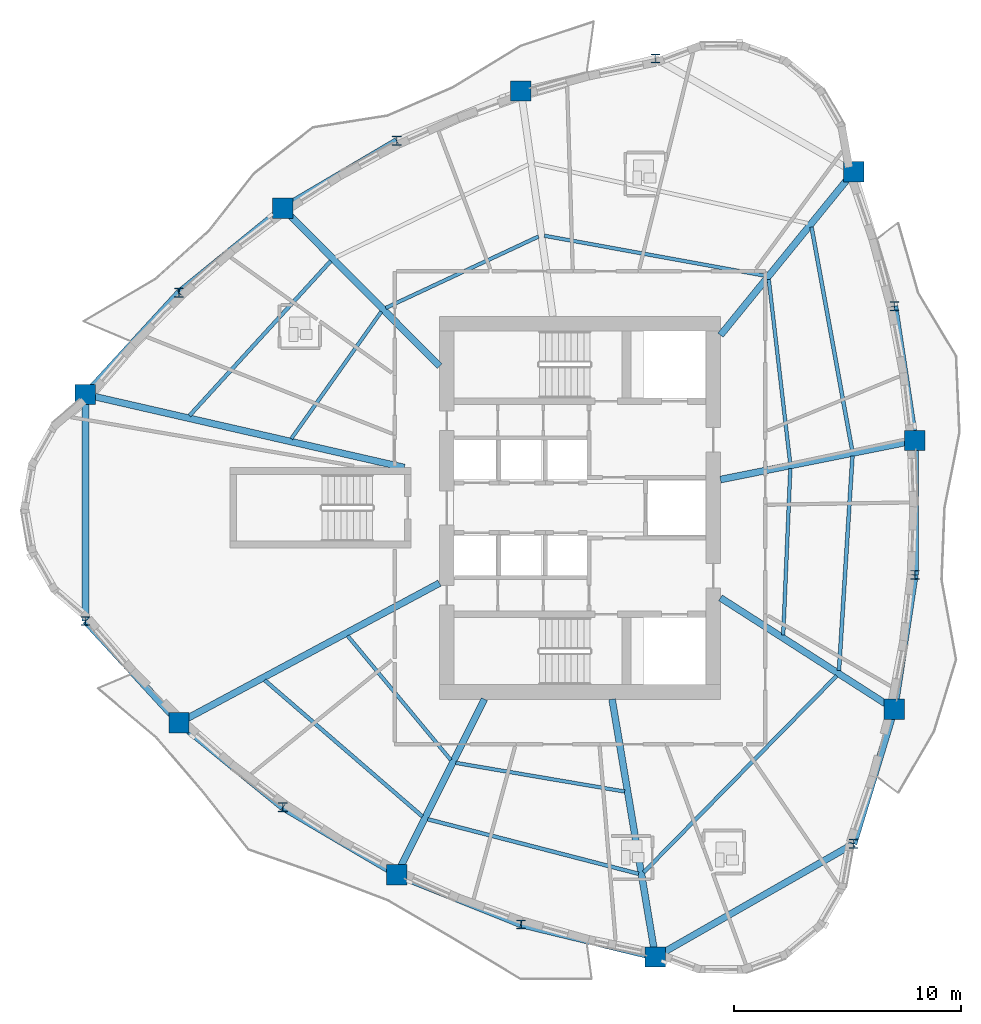
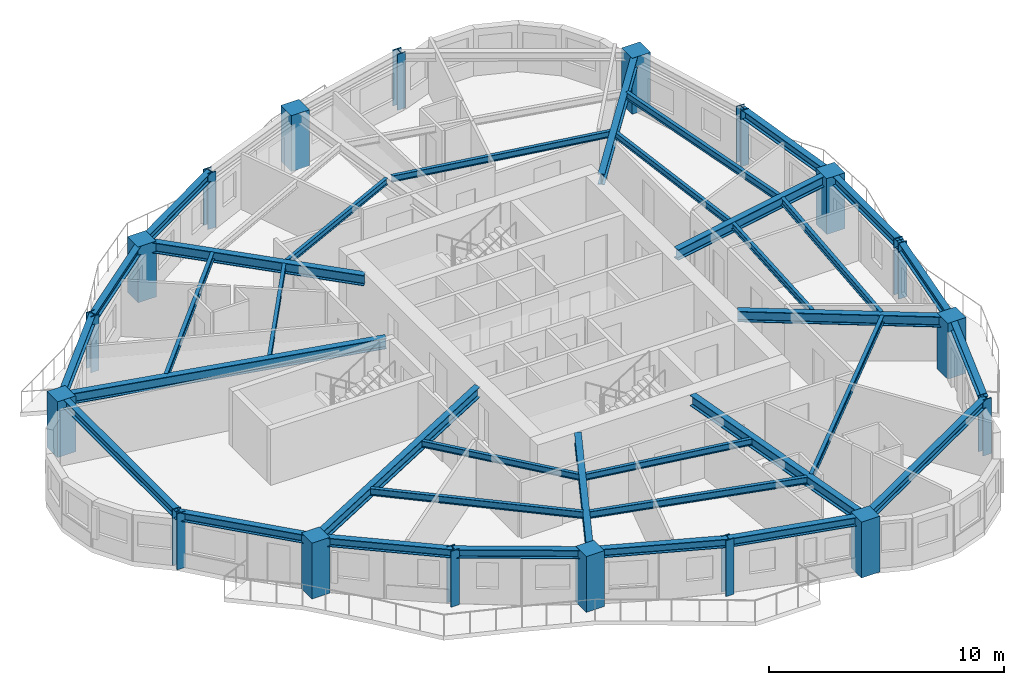
# One storey, part 1 of 12: 35 beams, 18 columns.
"""IFC4 building model written with IfcOpenShell, lengths in metres."""

from ifc_helpers import new_model, si_unit, direction, frame, origin, origin_2d, place, context, subcontext, project, spatial, rectangle, i_section, extrude, source, transform, mapped, material, material_profile, profile_set, type_object, element, save


model = new_model("IFC4")

# Units and contexts
model_context = context("Model", 3, precision=1e-05, world=origin(), true_north=direction((0.0, 1.0)))
body_context = subcontext(model_context, "Body", "Model", "MODEL_VIEW")
ifc_project = project(units=[si_unit("LENGTHUNIT", "METRE"), si_unit("AREAUNIT", "SQUARE_METRE"), si_unit("VOLUMEUNIT", "CUBIC_METRE"), si_unit("PLANEANGLEUNIT", "RADIAN"), si_unit("MASSUNIT", "GRAM", prefix="KILO")], contexts=[model_context])

# Site, building, storey
site_placement = place(None, origin())
site = spatial("IfcSite", under=ifc_project, at=site_placement, CompositionType="ELEMENT")
building_placement = place(site_placement, origin())
building = spatial("IfcBuilding", under=site, at=building_placement, Name="Qafzar Sky-Pleat Residences", CompositionType="ELEMENT")
storey_placement = place(building_placement, frame((0.0, 0.0, 124.800048828125)))
storey = spatial("IfcBuildingStorey", under=building, at=storey_placement, Name="L37", CompositionType="ELEMENT", Elevation=124.800048828125)

# Columns
ifc_material_1 = material(Name="Concrete C60/75", Category="concrete")
ifc_material_profile_1 = material_profile(ifc_material_1, rectangle(XDim=0.89990234375, YDim=0.89990234375, at=origin_2d()), Name="RC 900x900")
ifc_profile_set_1 = profile_set([ifc_material_profile_1], Name="Concrete C60/75")
column_type_1 = type_object("IfcColumnType", Name="COL-RC-900", PredefinedType="COLUMN", material=ifc_profile_set_1)
shared_shape_1 = source(origin(), body_context, "Body", "SweptSolid", [
    extrude(rectangle(XDim=0.89990234375, YDim=0.89990234375, at=origin_2d()), origin(), (0.0, 0.0, 1.0), 2.89990234375),
])
for number, where, z_axis, x_axis, name in (
    (1, (8.52880859375, 30.99609375, 0.0), (0.0, 0.0, 1.0), (1.0, 0.0, 0.0), "L37 Perimeter Mega Column 1"),
    (2, (12.65673828125, 16.50927734375, 0.0), (0.0, 0.0, 1.0), (1.0, 0.0, 0.0), "L37 Perimeter Mega Column 3"),
    (3, (22.26513671875, 9.813720703125, 0.0), (0.0, 0.0, 1.0), (1.0, 0.0, 0.0), "L37 Perimeter Mega Column 5"),
    (4, (33.6767578125, 6.17626953125, 0.0), (0.0, 0.0, 1.0), (1.0, 0.0, 0.0), "L37 Perimeter Mega Column 7"),
    (5, (44.2255859375, 17.103515625, 0.0), (0.0, 0.0, 1.0), (1.0, 0.0, 0.0), "L37 Perimeter Mega Column 9"),
    (6, (45.127197265625, 28.965576171875, 0.0), (0.0, 0.0, 1.0), (1.0, 0.0, 0.0), "L37 Perimeter Mega Column 11"),
    (7, (42.422607421875, 40.82763671875, 0.0), (0.0, 0.0, 1.0), (1.0, 0.0, 0.0), "L37 Perimeter Mega Column 13"),
    (8, (27.74560546875, 44.38720703125, 0.0), (0.0, 0.0, 1.0), (1.0, 0.0, 0.0), "L37 Perimeter Mega Column 15"),
    (9, (17.235595703125, 39.220703125, 0.0), (0.0, 0.0, 1.0), (1.0, 0.0, 0.0), "L37 Perimeter Mega Column 17"),
):
    element("IfcColumn", number, at=place(storey_placement, frame(where, z_axis=z_axis, x_axis=x_axis)), inside=storey, type_object=column_type_1, Name=name, PredefinedType="COLUMN", context=body_context, shape_type="MappedRepresentation", body=[
        mapped(shared_shape_1, transform((0.0, 0.0, 0.0), x_axis=(1.0, 0.0, 0.0), y_axis=(0.0, 1.0, 0.0), z_axis=(0.0, 0.0, 1.0), scale=1.0)),
    ])
ifc_material_2 = material(Name="Steel S460", Category="steel")
ifc_material_profile_2 = material_profile(ifc_material_2, i_section(OverallWidth=0.406005859375, OverallDepth=0.416015625, WebThickness=0.027099609375, FlangeThickness=0.0439453125, FilletRadius=0.014892578125, at=origin_2d()), Name="HD 400x382")
ifc_profile_set_2 = profile_set([ifc_material_profile_2], Name="Steel S460")
column_type_2 = type_object("IfcColumnType", Name="COL-STL-HD382", PredefinedType="PILASTER", material=ifc_profile_set_2)
shared_shape_2 = source(origin(), body_context, "Body", "SweptSolid", [
    extrude(i_section(OverallWidth=0.406005859375, OverallDepth=0.416015625, WebThickness=0.027099609375, FlangeThickness=0.0439453125, FilletRadius=0.014892578125, at=origin_2d()), origin(), (0.0, 0.0, 1.0), 2.89990234375),
])
for number, where, z_axis, x_axis, name in (
    (10, (8.52880859375, 21.00390625, 0.0), (0.0, 0.0, 1.0), (1.0, 0.0, 0.0), "L37 Perimeter Mega Column 2"),
    (11, (17.235595703125, 12.779296875, 0.0), (0.0, 0.0, 1.0), (1.0, 0.0, 0.0), "L37 Perimeter Mega Column 4"),
    (12, (27.74560546875, 7.61279296875, 0.0), (0.0, 0.0, 1.0), (1.0, 0.0, 0.0), "L37 Perimeter Mega Column 6"),
    (13, (42.422607421875, 11.17236328125, 0.0), (0.0, 0.0, 1.0), (1.0, 0.0, 0.0), "L37 Perimeter Mega Column 8"),
    (14, (45.127197265625, 23.034423828125, 0.0), (0.0, 0.0, 1.0), (1.0, 0.0, 0.0), "L37 Perimeter Mega Column 10"),
    (15, (44.2255859375, 34.896484375, 0.0), (0.0, 0.0, 1.0), (1.0, 0.0, 0.0), "L37 Perimeter Mega Column 12"),
    (16, (33.6767578125, 45.82373046875, 0.0), (0.0, 0.0, 1.0), (1.0, 0.0, 0.0), "L37 Perimeter Mega Column 14"),
    (17, (22.26513671875, 42.186279296875, 0.0), (0.0, 0.0, 1.0), (1.0, 0.0, 0.0), "L37 Perimeter Mega Column 16"),
    (18, (12.65673828125, 35.49072265625, 0.0), (0.0, 0.0, 1.0), (1.0, 0.0, 0.0), "L37 Perimeter Mega Column 18"),
):
    element("IfcColumn", number, at=place(storey_placement, frame(where, z_axis=z_axis, x_axis=x_axis)), inside=storey, type_object=column_type_2, Name=name, PredefinedType="PILASTER", context=body_context, shape_type="MappedRepresentation", body=[
        mapped(shared_shape_2, transform((0.0, 0.0, 0.0), x_axis=(1.0, 0.0, 0.0), y_axis=(0.0, 1.0, 0.0), z_axis=(0.0, 0.0, 1.0), scale=1.0)),
    ])

# Beams
ifc_material_3 = material(Name="Steel S355", Category="steel")
ifc_material_profile_3 = material_profile(ifc_material_3, i_section(OverallWidth=0.300048828125, OverallDepth=0.449951171875, WebThickness=0.013916015625, FlangeThickness=0.02587890625, FilletRadius=0.027099609375, at=origin_2d()), Name="HEB 450")
ifc_profile_set_3 = profile_set([ifc_material_profile_3], Name="Steel S355")
beam_type_1 = type_object("IfcBeamType", Name="BM-SPAN-HEB450", PredefinedType="SPANDREL", material=ifc_profile_set_3)
shared_shape_3 = source(origin(), body_context, "Body", "SweptSolid", [
    extrude(i_section(OverallWidth=0.300048828125, OverallDepth=0.449951171875, WebThickness=0.013916015625, FlangeThickness=0.02587890625, FilletRadius=0.027099609375, at=origin_2d()), origin(), (0.0, 0.0, 1.0), 9.9921875),
])
beam_1_placement = place(storey_placement, frame((8.52880859375, 30.99609375, 2.6728515625), z_axis=(0.0, -1.0, 0.0), x_axis=(1.0, 0.0, 0.0)))
element("IfcBeam", 19, at=beam_1_placement, inside=storey, type_object=beam_type_1, Name="L37 Perimeter Spandrel Beam 1", PredefinedType="SPANDREL", context=body_context, shape_type="MappedRepresentation", body=[
    mapped(shared_shape_3, transform((0.0, 0.0, 0.0), x_axis=(1.0, 0.0, 0.0), y_axis=(0.0, 1.0, 0.0), z_axis=(0.0, 0.0, 1.0), scale=1.0)),
])
shared_shape_4 = source(origin(), body_context, "Body", "SweptSolid", [
    extrude(i_section(OverallWidth=0.300048828125, OverallDepth=0.449951171875, WebThickness=0.013916015625, FlangeThickness=0.02587890625, FilletRadius=0.027099609375, at=origin_2d()), origin(), (0.0, 0.0, 1.0), 6.1025390625),
])
for number, where, z_axis, x_axis, name in (
    (20, (8.52880859375, 21.00390625, 2.6728515625), (0.676423601397, -0.736512804691, 0.0), (0.736512804691, 0.676423601397, 0.0), "L37 Perimeter Spandrel Beam 2"),
    (21, (27.74560546875, 7.61279296875, 2.6728515625), (0.971900047669, -0.235393919506, 0.0), (0.235393919506, 0.971900047669, 0.0), "L37 Perimeter Spandrel Beam 6"),
    (22, (12.65673828125, 35.49072265625, 2.6728515625), (-0.676423601397, -0.736512804691, 0.0), (0.736512804691, -0.676423601397, 0.0), "L37 Perimeter Spandrel Beam 18"),
):
    element("IfcBeam", number, at=place(storey_placement, frame(where, z_axis=z_axis, x_axis=x_axis)), inside=storey, type_object=beam_type_1, Name=name, PredefinedType="SPANDREL", context=body_context, shape_type="MappedRepresentation", body=[
        mapped(shared_shape_4, transform((0.0, 0.0, 0.0), x_axis=(1.0, 0.0, 0.0), y_axis=(0.0, 1.0, 0.0), z_axis=(0.0, 0.0, 1.0), scale=1.0)),
    ])
shared_shape_5 = source(origin(), body_context, "Body", "SweptSolid", [
    extrude(i_section(OverallWidth=0.300048828125, OverallDepth=0.449951171875, WebThickness=0.013916015625, FlangeThickness=0.02587890625, FilletRadius=0.027099609375, at=origin_2d()), origin(), (0.0, 0.0, 1.0), 5.90576171875),
])
for number, where, z_axis, x_axis, name in (
    (23, (12.65673828125, 16.50927734375, 2.6728515625), (0.775312954576, -0.631577249801, 0.0), (0.631577249801, 0.775312954576, 0.0), "L37 Perimeter Spandrel Beam 3"),
    (24, (17.235595703125, 39.220703125, 2.6728515625), (-0.775312954576, -0.631577249801, 0.0), (0.631577249801, -0.775312954576, 0.0), "L37 Perimeter Spandrel Beam 17"),
):
    element("IfcBeam", number, at=place(storey_placement, frame(where, z_axis=z_axis, x_axis=x_axis)), inside=storey, type_object=beam_type_1, Name=name, PredefinedType="SPANDREL", context=body_context, shape_type="MappedRepresentation", body=[
        mapped(shared_shape_5, transform((0.0, 0.0, 0.0), x_axis=(1.0, 0.0, 0.0), y_axis=(0.0, 1.0, 0.0), z_axis=(0.0, 0.0, 1.0), scale=1.0)),
    ])
shared_shape_6 = source(origin(), body_context, "Body", "SweptSolid", [
    extrude(i_section(OverallWidth=0.300048828125, OverallDepth=0.449951171875, WebThickness=0.013916015625, FlangeThickness=0.02587890625, FilletRadius=0.027099609375, at=origin_2d()), origin(), (0.0, 0.0, 1.0), 5.838623046875),
])
for number, where, z_axis, x_axis, name in (
    (25, (17.235595703125, 12.779296875, 2.6728515625), (0.861408122247, -0.507913424637, 0.0), (0.507913424637, 0.861408122247, 0.0), "L37 Perimeter Spandrel Beam 4"),
    (26, (22.26513671875, 42.186279296875, 2.6728515625), (-0.861408122247, -0.507913424637, 0.0), (0.507913424637, -0.861408122247, 0.0), "L37 Perimeter Spandrel Beam 16"),
):
    element("IfcBeam", number, at=place(storey_placement, frame(where, z_axis=z_axis, x_axis=x_axis)), inside=storey, type_object=beam_type_1, Name=name, PredefinedType="SPANDREL", context=body_context, shape_type="MappedRepresentation", body=[
        mapped(shared_shape_6, transform((0.0, 0.0, 0.0), x_axis=(1.0, 0.0, 0.0), y_axis=(0.0, 1.0, 0.0), z_axis=(0.0, 0.0, 1.0), scale=1.0)),
    ])
shared_shape_7 = source(origin(), body_context, "Body", "SweptSolid", [
    extrude(i_section(OverallWidth=0.300048828125, OverallDepth=0.449951171875, WebThickness=0.013916015625, FlangeThickness=0.02587890625, FilletRadius=0.027099609375, at=origin_2d()), origin(), (0.0, 0.0, 1.0), 5.906005859375),
])
beam_2_placement = place(storey_placement, frame((22.26513671875, 9.813720703125, 2.6728515625), z_axis=(0.927965498351, -0.372666115807, 0.0), x_axis=(0.372666115807, 0.927965498351, 0.0)))
element("IfcBeam", 27, at=beam_2_placement, inside=storey, type_object=beam_type_1, Name="L37 Perimeter Spandrel Beam 5", PredefinedType="SPANDREL", context=body_context, shape_type="MappedRepresentation", body=[
    mapped(shared_shape_7, transform((0.0, 0.0, 0.0), x_axis=(1.0, 0.0, 0.0), y_axis=(0.0, 1.0, 0.0), z_axis=(0.0, 0.0, 1.0), scale=1.0)),
])
shared_shape_8 = source(origin(), body_context, "Body", "SweptSolid", [
    extrude(i_section(OverallWidth=0.300048828125, OverallDepth=0.449951171875, WebThickness=0.013916015625, FlangeThickness=0.02587890625, FilletRadius=0.027099609375, at=origin_2d()), origin(), (0.0, 0.0, 1.0), 10.072265625),
])
beam_3_placement = place(storey_placement, frame((33.6767578125, 6.17626953125, 2.6728515625), z_axis=(0.868308765909, 0.496024079099, 0.0), x_axis=(-0.496024079099, 0.868308765909, 0.0)))
element("IfcBeam", 28, at=beam_3_placement, inside=storey, type_object=beam_type_1, Name="L37 Perimeter Spandrel Beam 7", PredefinedType="SPANDREL", context=body_context, shape_type="MappedRepresentation", body=[
    mapped(shared_shape_8, transform((0.0, 0.0, 0.0), x_axis=(1.0, 0.0, 0.0), y_axis=(0.0, 1.0, 0.0), z_axis=(0.0, 0.0, 1.0), scale=1.0)),
])
shared_shape_9 = source(origin(), body_context, "Body", "SweptSolid", [
    extrude(i_section(OverallWidth=0.300048828125, OverallDepth=0.449951171875, WebThickness=0.013916015625, FlangeThickness=0.02587890625, FilletRadius=0.027099609375, at=origin_2d()), origin(), (0.0, 0.0, 1.0), 6.19921875),
])
beam_4_placement = place(storey_placement, frame((42.422607421875, 11.17236328125, 2.6728515625), z_axis=(0.290843469518, 0.956770649758, 0.0), x_axis=(-0.956770649758, 0.290843469518, 0.0)))
element("IfcBeam", 29, at=beam_4_placement, inside=storey, type_object=beam_type_1, Name="L37 Perimeter Spandrel Beam 8", PredefinedType="SPANDREL", context=body_context, shape_type="MappedRepresentation", body=[
    mapped(shared_shape_9, transform((0.0, 0.0, 0.0), x_axis=(1.0, 0.0, 0.0), y_axis=(0.0, 1.0, 0.0), z_axis=(0.0, 0.0, 1.0), scale=1.0)),
])
shared_shape_10 = source(origin(), body_context, "Body", "SweptSolid", [
    extrude(i_section(OverallWidth=0.300048828125, OverallDepth=0.449951171875, WebThickness=0.013916015625, FlangeThickness=0.02587890625, FilletRadius=0.027099609375, at=origin_2d()), origin(), (0.0, 0.0, 1.0), 5.9990234375),
])
for number, where, z_axis, x_axis, name in (
    (30, (44.2255859375, 17.103515625, 2.6728515625), (0.150292404852, 0.988641589781, 0.0), (-0.988641589781, 0.150292404852, 0.0), "L37 Perimeter Spandrel Beam 9"),
    (31, (45.127197265625, 28.965576171875, 2.6728515625), (-0.150292404852, 0.988641589781, 0.0), (-0.988641589781, -0.150292404852, 0.0), "L37 Perimeter Spandrel Beam 11"),
):
    element("IfcBeam", number, at=place(storey_placement, frame(where, z_axis=z_axis, x_axis=x_axis)), inside=storey, type_object=beam_type_1, Name=name, PredefinedType="SPANDREL", context=body_context, shape_type="MappedRepresentation", body=[
        mapped(shared_shape_10, transform((0.0, 0.0, 0.0), x_axis=(1.0, 0.0, 0.0), y_axis=(0.0, 1.0, 0.0), z_axis=(0.0, 0.0, 1.0), scale=1.0)),
    ])
shared_shape_11 = source(origin(), body_context, "Body", "SweptSolid", [
    extrude(i_section(OverallWidth=0.300048828125, OverallDepth=0.449951171875, WebThickness=0.013916015625, FlangeThickness=0.02587890625, FilletRadius=0.027099609375, at=origin_2d()), origin(), (0.0, 0.0, 1.0), 5.93115234375),
])
beam_5_placement = place(storey_placement, frame((45.127197265625, 23.034423828125, 2.6728515625), z_axis=(0.0, 1.0, 0.0), x_axis=(-1.0, 0.0, 0.0)))
element("IfcBeam", 32, at=beam_5_placement, inside=storey, type_object=beam_type_1, Name="L37 Perimeter Spandrel Beam 10", PredefinedType="SPANDREL", context=body_context, shape_type="MappedRepresentation", body=[
    mapped(shared_shape_11, transform((0.0, 0.0, 0.0), x_axis=(1.0, 0.0, 0.0), y_axis=(0.0, 1.0, 0.0), z_axis=(0.0, 0.0, 1.0), scale=1.0)),
])
ifc_material_profile_4 = material_profile(ifc_material_3, i_section(OverallWidth=0.300048828125, OverallDepth=0.550048828125, WebThickness=0.014892578125, FlangeThickness=0.029052734375, FilletRadius=0.027099609375, at=origin_2d()), Name="HEB 550")
ifc_profile_set_4 = profile_set([ifc_material_profile_4], Name="Steel S355")
beam_type_2 = type_object("IfcBeamType", Name="BM-GIRD-HEB550", PredefinedType="BEAM", material=ifc_profile_set_4)
shared_shape_12 = source(origin(), body_context, "Body", "SweptSolid", [
    extrude(i_section(OverallWidth=0.300048828125, OverallDepth=0.550048828125, WebThickness=0.014892578125, FlangeThickness=0.029052734375, FilletRadius=0.027099609375, at=origin_2d()), origin(), (0.0, 0.0, 1.0), 14.4326171875),
])
beam_6_placement = place(storey_placement, frame((8.52880859375, 30.99609375, 2.623046875), z_axis=(0.974775500226, -0.223187643384, 0.0), x_axis=(0.223187643384, 0.974775500226, 0.0)))
element("IfcBeam", 33, at=beam_6_placement, inside=storey, type_object=beam_type_2, Name="L37 Radial Floor Girder 1", PredefinedType="BEAM", context=body_context, shape_type="MappedRepresentation", body=[
    mapped(shared_shape_12, transform((0.0, 0.0, 0.0), x_axis=(1.0, 0.0, 0.0), y_axis=(0.0, 1.0, 0.0), z_axis=(0.0, 0.0, 1.0), scale=1.0)),
])
shared_shape_13 = source(origin(), body_context, "Body", "SweptSolid", [
    extrude(i_section(OverallWidth=0.300048828125, OverallDepth=0.550048828125, WebThickness=0.014892578125, FlangeThickness=0.029052734375, FilletRadius=0.027099609375, at=origin_2d()), origin(), (0.0, 0.0, 1.0), 13.042236328125),
])
beam_7_placement = place(storey_placement, frame((12.65673828125, 16.50927734375, 2.623046875), z_axis=(0.881224933999, 0.472697171241, 0.0), x_axis=(-0.472697171241, 0.881224933999, 0.0)))
element("IfcBeam", 34, at=beam_7_placement, inside=storey, type_object=beam_type_2, Name="L37 Radial Floor Girder 3", PredefinedType="BEAM", context=body_context, shape_type="MappedRepresentation", body=[
    mapped(shared_shape_13, transform((0.0, 0.0, 0.0), x_axis=(1.0, 0.0, 0.0), y_axis=(0.0, 1.0, 0.0), z_axis=(0.0, 0.0, 1.0), scale=1.0)),
])
shared_shape_14 = source(origin(), body_context, "Body", "SweptSolid", [
    extrude(i_section(OverallWidth=0.300048828125, OverallDepth=0.550048828125, WebThickness=0.014892578125, FlangeThickness=0.029052734375, FilletRadius=0.027099609375, at=origin_2d()), origin(), (0.0, 0.0, 1.0), 8.647705078125),
])
beam_8_placement = place(storey_placement, frame((22.26513671875, 9.813720703125, 2.623046875), z_axis=(0.446852192557, 0.894607801222, 0.0), x_axis=(-0.894607801222, 0.446852192557, 0.0)))
element("IfcBeam", 35, at=beam_8_placement, inside=storey, type_object=beam_type_2, Name="L37 Radial Floor Girder 5", PredefinedType="BEAM", context=body_context, shape_type="MappedRepresentation", body=[
    mapped(shared_shape_14, transform((0.0, 0.0, 0.0), x_axis=(1.0, 0.0, 0.0), y_axis=(0.0, 1.0, 0.0), z_axis=(0.0, 0.0, 1.0), scale=1.0)),
])
shared_shape_15 = source(origin(), body_context, "Body", "SweptSolid", [
    extrude(i_section(OverallWidth=0.300048828125, OverallDepth=0.550048828125, WebThickness=0.014892578125, FlangeThickness=0.029052734375, FilletRadius=0.027099609375, at=origin_2d()), origin(), (0.0, 0.0, 1.0), 11.53271484375),
])
beam_9_placement = place(storey_placement, frame((33.6767578125, 6.17626953125, 2.623046875), z_axis=(-0.165500827547, 0.98620965118, 0.0), x_axis=(-0.98620965118, -0.165500827547, 0.0)))
element("IfcBeam", 36, at=beam_9_placement, inside=storey, type_object=beam_type_2, Name="L37 Radial Floor Girder 7", PredefinedType="BEAM", context=body_context, shape_type="MappedRepresentation", body=[
    mapped(shared_shape_15, transform((0.0, 0.0, 0.0), x_axis=(1.0, 0.0, 0.0), y_axis=(0.0, 1.0, 0.0), z_axis=(0.0, 0.0, 1.0), scale=1.0)),
])
shared_shape_16 = source(origin(), body_context, "Body", "SweptSolid", [
    extrude(i_section(OverallWidth=0.300048828125, OverallDepth=0.550048828125, WebThickness=0.014892578125, FlangeThickness=0.029052734375, FilletRadius=0.027099609375, at=origin_2d()), origin(), (0.0, 0.0, 1.0), 9.11767578125),
])
beam_10_placement = place(storey_placement, frame((44.2255859375, 17.103515625, 2.623046875), z_axis=(-0.841832969143, 0.539738132861, 0.0), x_axis=(-0.539738132861, -0.841832969143, 0.0)))
element("IfcBeam", 37, at=beam_10_placement, inside=storey, type_object=beam_type_2, Name="L37 Radial Floor Girder 9", PredefinedType="BEAM", context=body_context, shape_type="MappedRepresentation", body=[
    mapped(shared_shape_16, transform((0.0, 0.0, 0.0), x_axis=(1.0, 0.0, 0.0), y_axis=(0.0, 1.0, 0.0), z_axis=(0.0, 0.0, 1.0), scale=1.0)),
])
shared_shape_17 = source(origin(), body_context, "Body", "SweptSolid", [
    extrude(i_section(OverallWidth=0.300048828125, OverallDepth=0.550048828125, WebThickness=0.014892578125, FlangeThickness=0.029052734375, FilletRadius=0.027099609375, at=origin_2d()), origin(), (0.0, 0.0, 1.0), 8.748291015625),
])
beam_11_placement = place(storey_placement, frame((45.127197265625, 28.965576171875, 2.623046875), z_axis=(-0.980448429266, -0.196776211851, 0.0), x_axis=(0.196776211851, -0.980448429266, 0.0)))
element("IfcBeam", 38, at=beam_11_placement, inside=storey, type_object=beam_type_2, Name="L37 Radial Floor Girder 11", PredefinedType="BEAM", context=body_context, shape_type="MappedRepresentation", body=[
    mapped(shared_shape_17, transform((0.0, 0.0, 0.0), x_axis=(1.0, 0.0, 0.0), y_axis=(0.0, 1.0, 0.0), z_axis=(0.0, 0.0, 1.0), scale=1.0)),
])
shared_shape_18 = source(origin(), body_context, "Body", "SweptSolid", [
    extrude(i_section(OverallWidth=0.300048828125, OverallDepth=0.550048828125, WebThickness=0.014892578125, FlangeThickness=0.029052734375, FilletRadius=0.027099609375, at=origin_2d()), origin(), (0.0, 0.0, 1.0), 9.301025390625),
])
beam_12_placement = place(storey_placement, frame((42.422607421875, 40.82763671875, 2.623046875), z_axis=(-0.631387785831, -0.77546725521, 0.0), x_axis=(0.77546725521, -0.631387785831, 0.0)))
element("IfcBeam", 39, at=beam_12_placement, inside=storey, type_object=beam_type_2, Name="L37 Radial Floor Girder 13", PredefinedType="BEAM", context=body_context, shape_type="MappedRepresentation", body=[
    mapped(shared_shape_18, transform((0.0, 0.0, 0.0), x_axis=(1.0, 0.0, 0.0), y_axis=(0.0, 1.0, 0.0), z_axis=(0.0, 0.0, 1.0), scale=1.0)),
])
shared_shape_19 = source(origin(), body_context, "Body", "SweptSolid", [
    extrude(i_section(OverallWidth=0.300048828125, OverallDepth=0.550048828125, WebThickness=0.014892578125, FlangeThickness=0.029052734375, FilletRadius=0.027099609375, at=origin_2d()), origin(), (0.0, 0.0, 1.0), 9.818115234375),
])
beam_13_placement = place(storey_placement, frame((17.235595703125, 39.220703125, 2.623046875), z_axis=(0.704241362588, -0.709960634979, 0.0), x_axis=(0.709960634979, 0.704241362588, 0.0)))
element("IfcBeam", 40, at=beam_13_placement, inside=storey, type_object=beam_type_2, Name="L37 Radial Floor Girder 17", PredefinedType="BEAM", context=body_context, shape_type="MappedRepresentation", body=[
    mapped(shared_shape_19, transform((0.0, 0.0, 0.0), x_axis=(1.0, 0.0, 0.0), y_axis=(0.0, 1.0, 0.0), z_axis=(0.0, 0.0, 1.0), scale=1.0)),
])
ifc_material_profile_5 = material_profile(ifc_material_3, i_section(OverallWidth=0.169921875, OverallDepth=0.360107421875, WebThickness=0.008056640625, FlangeThickness=0.0126953125, FilletRadius=0.01806640625, at=origin_2d()), Name="IPE 360")
ifc_profile_set_5 = profile_set([ifc_material_profile_5], Name="Steel S355")
beam_type_3 = type_object("IfcBeamType", Name="BM-JST-IPE360", PredefinedType="JOIST", material=ifc_profile_set_5)
shared_shape_20 = source(origin(), body_context, "Body", "SweptSolid", [
    extrude(i_section(OverallWidth=0.169921875, OverallDepth=0.360107421875, WebThickness=0.008056640625, FlangeThickness=0.0126953125, FilletRadius=0.01806640625, at=origin_2d()), origin(), (0.0, 0.0, 1.0), 9.201904296875),
])
beam_14_placement = place(storey_placement, frame((16.436767578125, 18.393798828125, 2.718017578125), z_axis=(0.756677427014, -0.653788399596, 0.0), x_axis=(0.653788399596, 0.756677427014, 0.0)))
element("IfcBeam", 41, at=beam_14_placement, inside=storey, type_object=beam_type_3, Name="L37 Outer Secondary Floor Joist 2", PredefinedType="JOIST", context=body_context, shape_type="MappedRepresentation", body=[
    mapped(shared_shape_20, transform((0.0, 0.0, 0.0), x_axis=(1.0, 0.0, 0.0), y_axis=(0.0, 1.0, 0.0), z_axis=(0.0, 0.0, 1.0), scale=1.0)),
])
shared_shape_21 = source(origin(), body_context, "Body", "SweptSolid", [
    extrude(i_section(OverallWidth=0.169921875, OverallDepth=0.360107421875, WebThickness=0.008056640625, FlangeThickness=0.0126953125, FilletRadius=0.01806640625, at=origin_2d()), origin(), (0.0, 0.0, 1.0), 9.609130859375),
])
beam_15_placement = place(storey_placement, frame((23.63232421875, 12.255615234375, 2.718017578125), z_axis=(0.968145318769, -0.250388980881, 0.0), x_axis=(0.250388980881, 0.968145318769, 0.0)))
element("IfcBeam", 42, at=beam_15_placement, inside=storey, type_object=beam_type_3, Name="L37 Outer Secondary Floor Joist 3", PredefinedType="JOIST", context=body_context, shape_type="MappedRepresentation", body=[
    mapped(shared_shape_21, transform((0.0, 0.0, 0.0), x_axis=(1.0, 0.0, 0.0), y_axis=(0.0, 1.0, 0.0), z_axis=(0.0, 0.0, 1.0), scale=1.0)),
])
shared_shape_22 = source(origin(), body_context, "Body", "SweptSolid", [
    extrude(i_section(OverallWidth=0.169921875, OverallDepth=0.360107421875, WebThickness=0.008056640625, FlangeThickness=0.0126953125, FilletRadius=0.01806640625, at=origin_2d()), origin(), (0.0, 0.0, 1.0), 12.1513671875),
])
beam_16_placement = place(storey_placement, frame((33.160400390625, 9.912109375, 2.718017578125), z_axis=(0.700688839555, 0.713466993016, 0.0), x_axis=(-0.713466993016, 0.700688839555, 0.0)))
element("IfcBeam", 43, at=beam_16_placement, inside=storey, type_object=beam_type_3, Name="L37 Outer Secondary Floor Joist 4", PredefinedType="JOIST", context=body_context, shape_type="MappedRepresentation", body=[
    mapped(shared_shape_22, transform((0.0, 0.0, 0.0), x_axis=(1.0, 0.0, 0.0), y_axis=(0.0, 1.0, 0.0), z_axis=(0.0, 0.0, 1.0), scale=1.0)),
])
shared_shape_23 = source(origin(), body_context, "Body", "SweptSolid", [
    extrude(i_section(OverallWidth=0.169921875, OverallDepth=0.360107421875, WebThickness=0.008056640625, FlangeThickness=0.0126953125, FilletRadius=0.01806640625, at=origin_2d()), origin(), (0.0, 0.0, 1.0), 9.48583984375),
])
beam_17_placement = place(storey_placement, frame((41.77783203125, 18.81298828125, 2.718017578125), z_axis=(0.062825331931, 0.998024537608, 0.0), x_axis=(-0.998024537608, 0.062825331931, 0.0)))
element("IfcBeam", 44, at=beam_17_placement, inside=storey, type_object=beam_type_3, Name="L37 Outer Secondary Floor Joist 5", PredefinedType="JOIST", context=body_context, shape_type="MappedRepresentation", body=[
    mapped(shared_shape_23, transform((0.0, 0.0, 0.0), x_axis=(1.0, 0.0, 0.0), y_axis=(0.0, 1.0, 0.0), z_axis=(0.0, 0.0, 1.0), scale=1.0)),
])
shared_shape_24 = source(origin(), body_context, "Body", "SweptSolid", [
    extrude(i_section(OverallWidth=0.169921875, OverallDepth=0.360107421875, WebThickness=0.008056640625, FlangeThickness=0.0126953125, FilletRadius=0.01806640625, at=origin_2d()), origin(), (0.0, 0.0, 1.0), 10.000732421875),
])
beam_18_placement = place(storey_placement, frame((42.3583984375, 28.547607421875, 2.718017578125), z_axis=(-0.179087371555, 0.983833173536, 0.0), x_axis=(-0.983833173536, -0.179087371555, 0.0)))
element("IfcBeam", 45, at=beam_18_placement, inside=storey, type_object=beam_type_3, Name="L37 Outer Secondary Floor Joist 6", PredefinedType="JOIST", context=body_context, shape_type="MappedRepresentation", body=[
    mapped(shared_shape_24, transform((0.0, 0.0, 0.0), x_axis=(1.0, 0.0, 0.0), y_axis=(0.0, 1.0, 0.0), z_axis=(0.0, 0.0, 1.0), scale=1.0)),
])
shared_shape_25 = source(origin(), body_context, "Body", "SweptSolid", [
    extrude(i_section(OverallWidth=0.169921875, OverallDepth=0.360107421875, WebThickness=0.008056640625, FlangeThickness=0.0126953125, FilletRadius=0.01806640625, at=origin_2d()), origin(), (0.0, 0.0, 1.0), 9.244873046875),
])
beam_19_placement = place(storey_placement, frame((19.357177734375, 36.890625, 2.718017578125), z_axis=(-0.674471594724, -0.738300797717, 0.0), x_axis=(0.738300797717, -0.674471594724, 0.0)))
element("IfcBeam", 46, at=beam_19_placement, inside=storey, type_object=beam_type_3, Name="L37 Outer Secondary Floor Joist 9", PredefinedType="JOIST", context=body_context, shape_type="MappedRepresentation", body=[
    mapped(shared_shape_25, transform((0.0, 0.0, 0.0), x_axis=(1.0, 0.0, 0.0), y_axis=(0.0, 1.0, 0.0), z_axis=(0.0, 0.0, 1.0), scale=1.0)),
])
ifc_material_profile_6 = material_profile(ifc_material_3, i_section(OverallWidth=0.159912109375, OverallDepth=0.330078125, WebThickness=0.007568359375, FlangeThickness=0.011474609375, FilletRadius=0.01806640625, at=origin_2d()), Name="IPE 330")
ifc_profile_set_6 = profile_set([ifc_material_profile_6], Name="Steel S355")
beam_type_4 = type_object("IfcBeamType", Name="BM-JST-IPE330", PredefinedType="JOIST", material=ifc_profile_set_6)
shared_shape_26 = source(origin(), body_context, "Body", "SweptSolid", [
    extrude(i_section(OverallWidth=0.159912109375, OverallDepth=0.330078125, WebThickness=0.007568359375, FlangeThickness=0.011474609375, FilletRadius=0.01806640625, at=origin_2d()), origin(), (0.0, 0.0, 1.0), 7.126708984375),
])
beam_20_placement = place(storey_placement, frame((20.0986328125, 20.35107421875, 2.73291015625), z_axis=(0.638940175477, -0.769256428092, 0.0), x_axis=(0.769256428092, 0.638940175477, 0.0)))
element("IfcBeam", 47, at=beam_20_placement, inside=storey, type_object=beam_type_4, Name="L37 Inner Secondary Floor Joist 2", PredefinedType="JOIST", context=body_context, shape_type="MappedRepresentation", body=[
    mapped(shared_shape_26, transform((0.0, 0.0, 0.0), x_axis=(1.0, 0.0, 0.0), y_axis=(0.0, 1.0, 0.0), z_axis=(0.0, 0.0, 1.0), scale=1.0)),
])
shared_shape_27 = source(origin(), body_context, "Body", "SweptSolid", [
    extrude(i_section(OverallWidth=0.159912109375, OverallDepth=0.330078125, WebThickness=0.007568359375, FlangeThickness=0.011474609375, FilletRadius=0.01806640625, at=origin_2d()), origin(), (0.0, 0.0, 1.0), 7.55712890625),
])
beam_21_placement = place(storey_placement, frame((24.871337890625, 14.7421875, 2.73291015625), z_axis=(0.985909493648, -0.167279617213, 0.0), x_axis=(0.167279617213, 0.985909493648, 0.0)))
element("IfcBeam", 48, at=beam_21_placement, inside=storey, type_object=beam_type_4, Name="L37 Inner Secondary Floor Joist 3", PredefinedType="JOIST", context=body_context, shape_type="MappedRepresentation", body=[
    mapped(shared_shape_27, transform((0.0, 0.0, 0.0), x_axis=(1.0, 0.0, 0.0), y_axis=(0.0, 1.0, 0.0), z_axis=(0.0, 0.0, 1.0), scale=1.0)),
])
shared_shape_28 = source(origin(), body_context, "Body", "SweptSolid", [
    extrude(i_section(OverallWidth=0.159912109375, OverallDepth=0.330078125, WebThickness=0.007568359375, FlangeThickness=0.011474609375, FilletRadius=0.01806640625, at=origin_2d()), origin(), (0.0, 0.0, 1.0), 7.34765625),
])
beam_22_placement = place(storey_placement, frame((39.31884765625, 20.387939453125, 2.73291015625), z_axis=(0.042629740771, 0.999090939405, 0.0), x_axis=(-0.999090939405, 0.042629740771, 0.0)))
element("IfcBeam", 49, at=beam_22_placement, inside=storey, type_object=beam_type_4, Name="L37 Inner Secondary Floor Joist 5", PredefinedType="JOIST", context=body_context, shape_type="MappedRepresentation", body=[
    mapped(shared_shape_28, transform((0.0, 0.0, 0.0), x_axis=(1.0, 0.0, 0.0), y_axis=(0.0, 1.0, 0.0), z_axis=(0.0, 0.0, 1.0), scale=1.0)),
])
shared_shape_29 = source(origin(), body_context, "Body", "SweptSolid", [
    extrude(i_section(OverallWidth=0.159912109375, OverallDepth=0.330078125, WebThickness=0.007568359375, FlangeThickness=0.011474609375, FilletRadius=0.01806640625, at=origin_2d()), origin(), (0.0, 0.0, 1.0), 8.134033203125),
])
beam_23_placement = place(storey_placement, frame((39.6220703125, 27.998046875, 2.73291015625), z_axis=(-0.115855529882, 0.993266075226, 0.0), x_axis=(-0.993266075226, -0.115855529882, 0.0)))
element("IfcBeam", 50, at=beam_23_placement, inside=storey, type_object=beam_type_4, Name="L37 Inner Secondary Floor Joist 6", PredefinedType="JOIST", context=body_context, shape_type="MappedRepresentation", body=[
    mapped(shared_shape_29, transform((0.0, 0.0, 0.0), x_axis=(1.0, 0.0, 0.0), y_axis=(0.0, 1.0, 0.0), z_axis=(0.0, 0.0, 1.0), scale=1.0)),
])
shared_shape_30 = source(origin(), body_context, "Body", "SweptSolid", [
    extrude(i_section(OverallWidth=0.159912109375, OverallDepth=0.330078125, WebThickness=0.007568359375, FlangeThickness=0.011474609375, FilletRadius=0.01806640625, at=origin_2d()), origin(), (0.0, 0.0, 1.0), 9.910888671875),
])
beam_24_placement = place(storey_placement, frame((38.53125, 36.235595703125, 2.73291015625), z_axis=(-0.983963186448, 0.178371656145, 0.0), x_axis=(-0.178371656145, -0.983963186448, 0.0)))
element("IfcBeam", 51, at=beam_24_placement, inside=storey, type_object=beam_type_4, Name="L37 Inner Secondary Floor Joist 7", PredefinedType="JOIST", context=body_context, shape_type="MappedRepresentation", body=[
    mapped(shared_shape_30, transform((0.0, 0.0, 0.0), x_axis=(1.0, 0.0, 0.0), y_axis=(0.0, 1.0, 0.0), z_axis=(0.0, 0.0, 1.0), scale=1.0)),
])
shared_shape_31 = source(origin(), body_context, "Body", "SweptSolid", [
    extrude(i_section(OverallWidth=0.159912109375, OverallDepth=0.330078125, WebThickness=0.007568359375, FlangeThickness=0.011474609375, FilletRadius=0.01806640625, at=origin_2d()), origin(), (0.0, 0.0, 1.0), 7.442138671875),
])
beam_25_placement = place(storey_placement, frame((28.524169921875, 37.97021484375, 2.73291015625), z_axis=(-0.905794718836, -0.423716800858, 0.0), x_axis=(0.423716800858, -0.905794718836, 0.0)))
element("IfcBeam", 52, at=beam_25_placement, inside=storey, type_object=beam_type_4, Name="L37 Inner Secondary Floor Joist 8", PredefinedType="JOIST", context=body_context, shape_type="MappedRepresentation", body=[
    mapped(shared_shape_31, transform((0.0, 0.0, 0.0), x_axis=(1.0, 0.0, 0.0), y_axis=(0.0, 1.0, 0.0), z_axis=(0.0, 0.0, 1.0), scale=1.0)),
])
shared_shape_32 = source(origin(), body_context, "Body", "SweptSolid", [
    extrude(i_section(OverallWidth=0.159912109375, OverallDepth=0.330078125, WebThickness=0.007568359375, FlangeThickness=0.011474609375, FilletRadius=0.01806640625, at=origin_2d()), origin(), (0.0, 0.0, 1.0), 6.869140625),
])
beam_26_placement = place(storey_placement, frame((21.582763671875, 34.6494140625, 2.73291015625), z_axis=(-0.578218490068, -0.81588196312, 0.0), x_axis=(0.81588196312, -0.578218490068, 0.0)))
element("IfcBeam", 53, at=beam_26_placement, inside=storey, type_object=beam_type_4, Name="L37 Inner Secondary Floor Joist 9", PredefinedType="JOIST", context=body_context, shape_type="MappedRepresentation", body=[
    mapped(shared_shape_32, transform((0.0, 0.0, 0.0), x_axis=(1.0, 0.0, 0.0), y_axis=(0.0, 1.0, 0.0), z_axis=(0.0, 0.0, 1.0), scale=1.0)),
])

save(model, "model.ifc")
